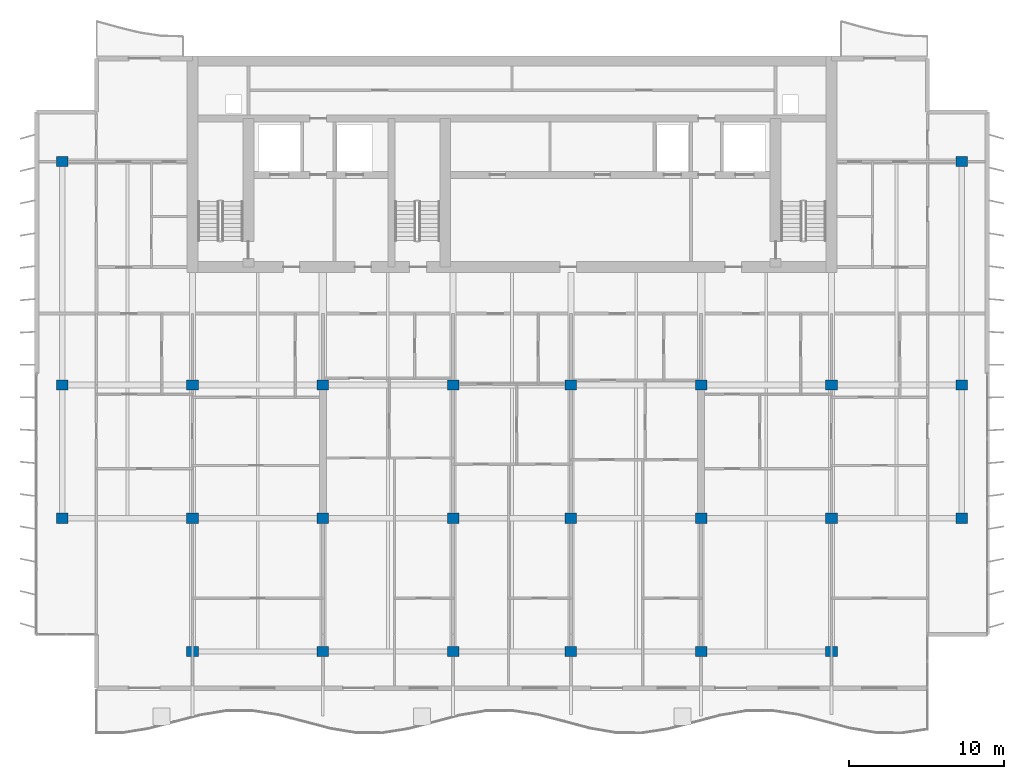
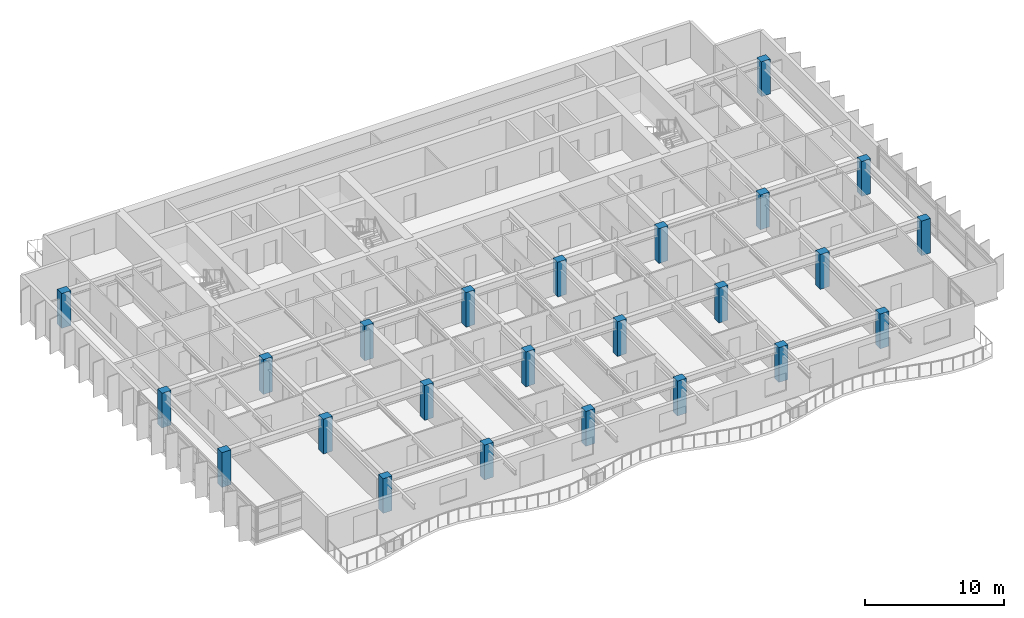
# One storey, part 1 of 16: 24 columns.
"""IFC4 building model written with IfcOpenShell, lengths in metres."""

from ifc_helpers import new_model, si_unit, direction, frame, origin, origin_2d, place, context, subcontext, project, spatial, rectangle, extrude, material, material_profile, profile_set, type_object, element, save


model = new_model("IFC4")

# Units and contexts
model_context = context("Model", 3, precision=1e-05, world=origin(), true_north=direction((0.0, 1.0)))
body_context = subcontext(model_context, "Body", "Model", "MODEL_VIEW")
ifc_project = project(units=[si_unit("LENGTHUNIT", "METRE"), si_unit("AREAUNIT", "SQUARE_METRE"), si_unit("VOLUMEUNIT", "CUBIC_METRE"), si_unit("PLANEANGLEUNIT", "RADIAN"), si_unit("MASSUNIT", "GRAM", prefix="KILO")], contexts=[model_context])

# Site, building, storey
site_placement = place(None, origin())
site = spatial("IfcSite", under=ifc_project, at=site_placement, CompositionType="ELEMENT")
building_placement = place(site_placement, origin())
building = spatial("IfcBuilding", under=site, at=building_placement, Name="Caelmar Bay Residences", CompositionType="ELEMENT")
storey_placement = place(building_placement, frame((0.0, 0.0, 239.699951171875)))
storey = spatial("IfcBuildingStorey", under=building, at=storey_placement, Name="L67", CompositionType="ELEMENT", Elevation=239.699951171875)

# Columns
ifc_material = material(Name="Concrete f'c 55 MPa (8,000 psi)", Category="concrete")
ifc_material_profile = material_profile(ifc_material, rectangle(XDim=0.75, YDim=0.64990234375, at=origin_2d()), Name="RC-COL-750X650")
ifc_profile_set = profile_set([ifc_material_profile], Name="Concrete f'c 55 MPa (8,000 psi)")
column_type = type_object("IfcColumnType", Name="COL-RC-750X650", PredefinedType="COLUMN", material=ifc_profile_set)
for number, where, z_axis, x_axis, name in (
    (1, (18.300048828125, 12.199951171875, 0.0), (0.0, 0.0, 1.0), (1.0, 0.0, 0.0), "L67 Column (18.30,12.20)"),
    (2, (26.699951171875, 12.199951171875, 0.0), (0.0, 0.0, 1.0), (1.0, 0.0, 0.0), "L67 Column (26.70,12.20)"),
    (3, (35.10009765625, 12.199951171875, 0.0), (0.0, 0.0, 1.0), (1.0, 0.0, 0.0), "L67 Column (35.10,12.20)"),
    (4, (42.699951171875, 12.199951171875, 0.0), (0.0, 0.0, 1.0), (1.0, 0.0, 0.0), "L67 Column (42.70,12.20)"),
    (5, (51.10009765625, 12.199951171875, 0.0), (0.0, 0.0, 1.0), (1.0, 0.0, 0.0), "L67 Column (51.10,12.20)"),
    (6, (59.5, 12.199951171875, 0.0), (0.0, 0.0, 1.0), (1.0, 0.0, 0.0), "L67 Column (59.50,12.20)"),
    (7, (9.89990234375, 20.800048828125, 0.0), (0.0, 0.0, 1.0), (1.0, 0.0, 0.0), "L67 Column (9.90,20.80)"),
    (8, (18.300048828125, 20.800048828125, 0.0), (0.0, 0.0, 1.0), (1.0, 0.0, 0.0), "L67 Column (18.30,20.80)"),
    (9, (26.699951171875, 20.800048828125, 0.0), (0.0, 0.0, 1.0), (1.0, 0.0, 0.0), "L67 Column (26.70,20.80)"),
    (10, (35.10009765625, 20.800048828125, 0.0), (0.0, 0.0, 1.0), (1.0, 0.0, 0.0), "L67 Column (35.10,20.80)"),
    (11, (42.699951171875, 20.800048828125, 0.0), (0.0, 0.0, 1.0), (1.0, 0.0, 0.0), "L67 Column (42.70,20.80)"),
    (12, (51.10009765625, 20.800048828125, 0.0), (0.0, 0.0, 1.0), (1.0, 0.0, 0.0), "L67 Column (51.10,20.80)"),
    (13, (59.5, 20.800048828125, 0.0), (0.0, 0.0, 1.0), (1.0, 0.0, 0.0), "L67 Column (59.50,20.80)"),
    (14, (67.89990234375, 20.800048828125, 0.0), (0.0, 0.0, 1.0), (1.0, 0.0, 0.0), "L67 Column (67.90,20.80)"),
    (15, (9.89990234375, 29.39990234375, 0.0), (0.0, 0.0, 1.0), (1.0, 0.0, 0.0), "L67 Column (9.90,29.40)"),
    (16, (18.300048828125, 29.39990234375, 0.0), (0.0, 0.0, 1.0), (1.0, 0.0, 0.0), "L67 Column (18.30,29.40)"),
    (17, (26.699951171875, 29.39990234375, 0.0), (0.0, 0.0, 1.0), (1.0, 0.0, 0.0), "L67 Column (26.70,29.40)"),
    (18, (35.10009765625, 29.39990234375, 0.0), (0.0, 0.0, 1.0), (1.0, 0.0, 0.0), "L67 Column (35.10,29.40)"),
    (19, (42.699951171875, 29.39990234375, 0.0), (0.0, 0.0, 1.0), (1.0, 0.0, 0.0), "L67 Column (42.70,29.40)"),
    (20, (51.10009765625, 29.39990234375, 0.0), (0.0, 0.0, 1.0), (1.0, 0.0, 0.0), "L67 Column (51.10,29.40)"),
    (21, (59.5, 29.39990234375, 0.0), (0.0, 0.0, 1.0), (1.0, 0.0, 0.0), "L67 Column (59.50,29.40)"),
    (22, (67.89990234375, 29.39990234375, 0.0), (0.0, 0.0, 1.0), (1.0, 0.0, 0.0), "L67 Column (67.90,29.40)"),
    (23, (9.89990234375, 43.800048828125, 0.0), (0.0, 0.0, 1.0), (1.0, 0.0, 0.0), "L67 Column (9.90,43.80)"),
    (24, (67.89990234375, 43.800048828125, 0.0), (0.0, 0.0, 1.0), (1.0, 0.0, 0.0), "L67 Column (67.90,43.80)"),
):
    element("IfcColumn", number, at=place(storey_placement, frame(where, z_axis=z_axis, x_axis=x_axis)), inside=storey, type_object=column_type, Name=name, PredefinedType="COLUMN", context=body_context, shape_type="SweptSolid", body=[
        extrude(rectangle(XDim=0.75, YDim=0.64990234375, at=origin_2d()), origin(), (0.0, 0.0, 1.0), 3.050048828125),
    ])

save(model, "model.ifc")
